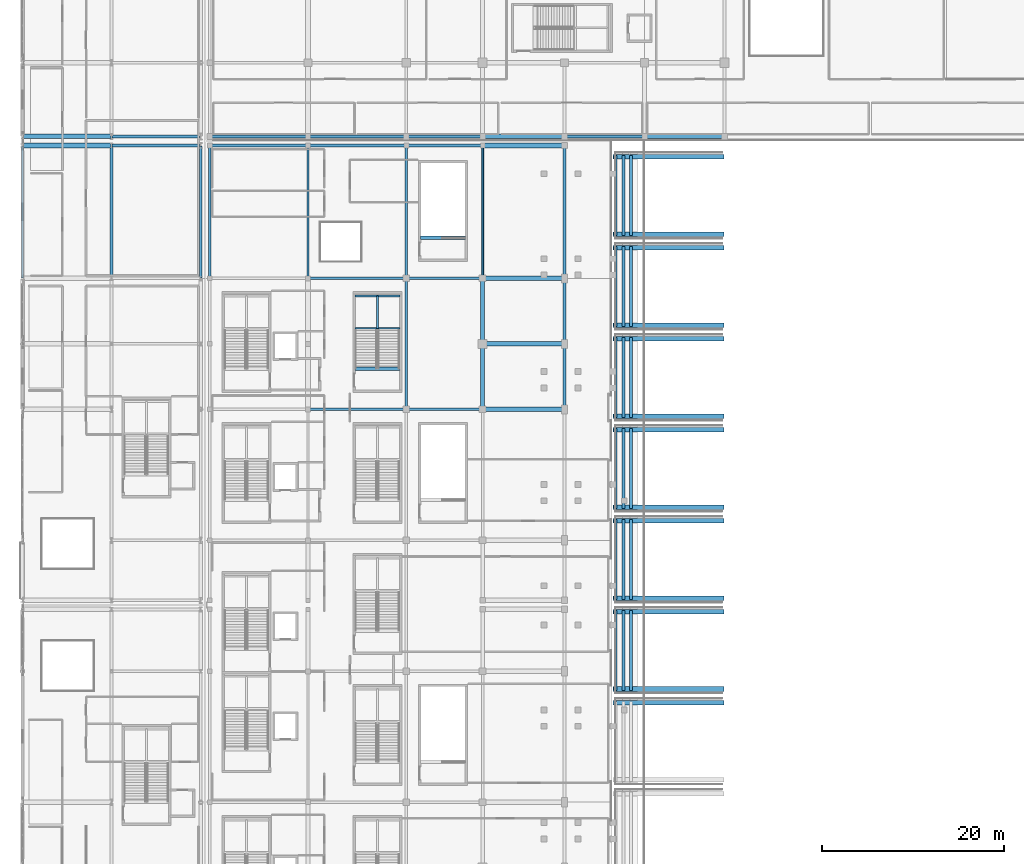
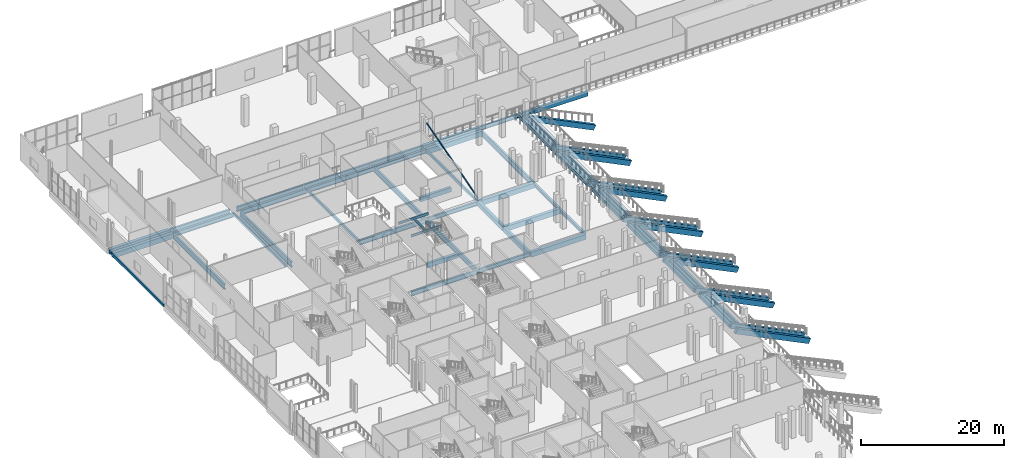
# One storey, part 31 of 129: 70 beams, 1 member.
"""IFC4 building model written with IfcOpenShell, lengths in metres."""

from ifc_helpers import new_model, si_unit, direction, frame, origin, origin_2d, place, context, subcontext, project, spatial, rectangle, hollow_rectangle, i_section, extrude, material, material_profile, profile_set, type_object, element, save


model = new_model("IFC4")

# Units and contexts
model_context = context("Model", 3, precision=1e-05, world=origin(), true_north=direction((0.0, 1.0)))
body_context = subcontext(model_context, "Body", "Model", "MODEL_VIEW")
ifc_project = project(units=[si_unit("LENGTHUNIT", "METRE"), si_unit("AREAUNIT", "SQUARE_METRE"), si_unit("VOLUMEUNIT", "CUBIC_METRE"), si_unit("PLANEANGLEUNIT", "RADIAN"), si_unit("MASSUNIT", "GRAM", prefix="KILO")], contexts=[model_context])

# Site, building, storey
site_placement = place(None, origin())
site = spatial("IfcSite", under=ifc_project, at=site_placement, CompositionType="ELEMENT")
building_placement = place(site_placement, origin())
building = spatial("IfcBuilding", under=site, at=building_placement, Name="Koshinbarg Plaza Stadium", CompositionType="ELEMENT")
storey_placement = place(building_placement, frame((0.0, 0.0, 5.39990234375)))
storey = spatial("IfcBuildingStorey", under=building, at=storey_placement, Name="L01", CompositionType="ELEMENT", Elevation=5.39990234375)

# Beams
ifc_material_1 = material(Name="Concrete C40/50", Category="concrete")
ifc_material_profile_1 = material_profile(ifc_material_1, rectangle(XDim=0.5, YDim=0.85009765625, at=origin_2d()), Name="RC 500x850")
ifc_profile_set_1 = profile_set([ifc_material_profile_1], Name="Concrete C40/50")
beam_type_1 = type_object("IfcBeamType", Name="BM-RAKER-LT", PredefinedType="USERDEFINED", material=ifc_profile_set_1)
for number, where, z_axis, x_axis, name in (
    (1, (80.9599609375, 65.25, -5.073974609375), (-0.897237323905, 0.0, 0.441548620869), (0.0, -1.0, 0.0), "Lower bowl raker girder RAKER LT-W04-R"),
    (2, (80.9599609375, 66.75, -5.073974609375), (-0.897237323905, 0.0, 0.441548620869), (0.0, -1.0, 0.0), "Lower bowl raker girder RAKER LT-W05-L"),
    (3, (80.9599609375, 75.25, -5.073974609375), (-0.897237323905, 0.0, 0.441548620869), (0.0, -1.0, 0.0), "Lower bowl raker girder RAKER LT-W05-R"),
    (4, (80.9599609375, 76.75, -5.073974609375), (-0.897237323905, 0.0, 0.441548620869), (0.0, -1.0, 0.0), "Lower bowl raker girder RAKER LT-W06-L"),
    (5, (80.9599609375, 85.25, -5.073974609375), (-0.897237323905, 0.0, 0.441548620869), (0.0, -1.0, 0.0), "Lower bowl raker girder RAKER LT-W06-R"),
    (6, (80.9599609375, 86.75, -5.073974609375), (-0.897237323905, 0.0, 0.441548620869), (0.0, -1.0, 0.0), "Lower bowl raker girder RAKER LT-W07-L"),
    (7, (80.9599609375, 95.25, -5.073974609375), (-0.897237323905, 0.0, 0.441548620869), (0.0, -1.0, 0.0), "Lower bowl raker girder RAKER LT-W07-R"),
    (8, (80.9599609375, 96.75, -5.073974609375), (-0.897237323905, 0.0, 0.441548620869), (0.0, -1.0, 0.0), "Lower bowl raker girder RAKER LT-W08-L"),
    (9, (80.9599609375, 105.25, -5.073974609375), (-0.897237323905, 0.0, 0.441548620869), (0.0, -1.0, 0.0), "Lower bowl raker girder RAKER LT-W08-R"),
    (10, (80.9599609375, 106.75, -5.073974609375), (-0.897237323905, 0.0, 0.441548620869), (0.0, -1.0, 0.0), "Lower bowl raker girder RAKER LT-W09-L"),
    (11, (80.9599609375, 115.25, -5.073974609375), (-0.897237323905, 0.0, 0.441548620869), (0.0, -1.0, 0.0), "Lower bowl raker girder RAKER LT-W09-R"),
    (12, (80.9599609375, 116.75, -5.073974609375), (-0.897237323905, 0.0, 0.441548620869), (0.0, -1.0, 0.0), "Lower bowl raker girder RAKER LT-W10-L"),
    (13, (80.9599609375, 125.25, -5.073974609375), (-0.897237323905, 0.0, 0.441548620869), (0.0, -1.0, 0.0), "Lower bowl raker girder RAKER LT-W10-R"),
):
    element("IfcBeam", number, at=place(storey_placement, frame(where, z_axis=z_axis, x_axis=x_axis)), inside=storey, type_object=beam_type_1, Name=name, ObjectType="GIRDER", PredefinedType="USERDEFINED", context=body_context, shape_type="SweptSolid", body=[
        extrude(rectangle(XDim=0.5, YDim=0.85009765625, at=origin_2d()), origin(), (0.0, 0.0, 1.0), 13.173828125),
    ])
ifc_material_profile_2 = material_profile(ifc_material_1, rectangle(XDim=0.35009765625, YDim=0.60009765625, at=origin_2d()), Name="RC 350x600")
ifc_profile_set_2 = profile_set([ifc_material_profile_2], Name="Concrete C40/50")
beam_type_2 = type_object("IfcBeamType", Name="BM-RCG-01", PredefinedType="SPANDREL", material=ifc_profile_set_2)
for number, where, z_axis, x_axis, name in (
    (14, (70.919921875, 66.60009765625, -0.27978515625), (0.0, 1.0, 0.0), (-1.0, 0.0, 0.0), "Lower tier seat bearer LT-W05-R12"),
    (15, (70.070068359375, 66.60009765625, 0.14013671875), (0.0, 1.0, 0.0), (-1.0, 0.0, 0.0), "Lower tier seat bearer LT-W05-R13"),
    (16, (69.219970703125, 66.60009765625, 0.56005859375), (0.0, 1.0, 0.0), (-1.0, 0.0, 0.0), "Lower tier seat bearer LT-W05-R14"),
    (17, (70.919921875, 76.60009765625, -0.27978515625), (0.0, 1.0, 0.0), (-1.0, 0.0, 0.0), "Lower tier seat bearer LT-W06-R12"),
    (18, (70.070068359375, 76.60009765625, 0.14013671875), (0.0, 1.0, 0.0), (-1.0, 0.0, 0.0), "Lower tier seat bearer LT-W06-R13"),
    (19, (69.219970703125, 76.60009765625, 0.56005859375), (0.0, 1.0, 0.0), (-1.0, 0.0, 0.0), "Lower tier seat bearer LT-W06-R14"),
    (20, (70.919921875, 86.60009765625, -0.27978515625), (0.0, 1.0, 0.0), (-1.0, 0.0, 0.0), "Lower tier seat bearer LT-W07-R12"),
    (21, (70.070068359375, 86.60009765625, 0.14013671875), (0.0, 1.0, 0.0), (-1.0, 0.0, 0.0), "Lower tier seat bearer LT-W07-R13"),
    (22, (69.219970703125, 86.60009765625, 0.56005859375), (0.0, 1.0, 0.0), (-1.0, 0.0, 0.0), "Lower tier seat bearer LT-W07-R14"),
    (23, (70.919921875, 96.60009765625, -0.27978515625), (0.0, 1.0, 0.0), (-1.0, 0.0, 0.0), "Lower tier seat bearer LT-W08-R12"),
    (24, (70.070068359375, 96.60009765625, 0.14013671875), (0.0, 1.0, 0.0), (-1.0, 0.0, 0.0), "Lower tier seat bearer LT-W08-R13"),
    (25, (69.219970703125, 96.60009765625, 0.56005859375), (0.0, 1.0, 0.0), (-1.0, 0.0, 0.0), "Lower tier seat bearer LT-W08-R14"),
    (26, (70.919921875, 106.60009765625, -0.27978515625), (0.0, 1.0, 0.0), (-1.0, 0.0, 0.0), "Lower tier seat bearer LT-W09-R12"),
    (27, (70.070068359375, 106.60009765625, 0.14013671875), (0.0, 1.0, 0.0), (-1.0, 0.0, 0.0), "Lower tier seat bearer LT-W09-R13"),
    (28, (69.219970703125, 106.60009765625, 0.56005859375), (0.0, 1.0, 0.0), (-1.0, 0.0, 0.0), "Lower tier seat bearer LT-W09-R14"),
    (29, (70.919921875, 116.60009765625, -0.27978515625), (0.0, 1.0, 0.0), (-1.0, 0.0, 0.0), "Lower tier seat bearer LT-W10-R12"),
    (30, (70.070068359375, 116.60009765625, 0.14013671875), (0.0, 1.0, 0.0), (-1.0, 0.0, 0.0), "Lower tier seat bearer LT-W10-R13"),
    (31, (69.219970703125, 116.60009765625, 0.56005859375), (0.0, 1.0, 0.0), (-1.0, 0.0, 0.0), "Lower tier seat bearer LT-W10-R14"),
):
    element("IfcBeam", number, at=place(storey_placement, frame(where, z_axis=z_axis, x_axis=x_axis)), inside=storey, type_object=beam_type_2, Name=name, PredefinedType="SPANDREL", context=body_context, shape_type="SweptSolid", body=[
        extrude(rectangle(XDim=0.35009765625, YDim=0.60009765625, at=origin_2d()), origin(), (0.0, 0.0, 1.0), 8.7998046875),
    ])
ifc_material_profile_3 = material_profile(ifc_material_1, rectangle(XDim=0.39990234375, YDim=0.75, at=origin_2d()), Name="RC 400x750")
ifc_profile_set_3 = profile_set([ifc_material_profile_3], Name="Concrete C40/50")
beam_type_3 = type_object("IfcBeamType", Name="BM-RCG-03", PredefinedType="USERDEFINED", material=ifc_profile_set_3)
for number, where, z_axis, x_axis, name in (
    (32, (40.550048828125, 101.9599609375, -0.375), (1.0, 0.0, 0.0), (0.0, 1.0, 0.0), "L01 stair landing header beam VX06"),
    (33, (47.75, 116.360107421875, -0.375), (1.0, 0.0, 0.0), (0.0, 1.0, 0.0), "L01 stair landing header beam VL04"),
):
    element("IfcBeam", number, at=place(storey_placement, frame(where, z_axis=z_axis, x_axis=x_axis)), inside=storey, type_object=beam_type_3, Name=name, ObjectType="GIRDER", PredefinedType="USERDEFINED", context=body_context, shape_type="SweptSolid", body=[
        extrude(rectangle(XDim=0.39990234375, YDim=0.75, at=origin_2d()), origin(), (0.0, 0.0, 1.0), 4.969970703125),
    ])
ifc_material_profile_4 = material_profile(ifc_material_1, rectangle(XDim=0.449951171875, YDim=0.800048828125, at=origin_2d()), Name="RC 450x800")
ifc_profile_set_4 = profile_set([ifc_material_profile_4], Name="Concrete C40/50")
beam_type_4 = type_object("IfcBeamType", Name="BM-RCG-04", PredefinedType="USERDEFINED", material=ifc_profile_set_4)
beam_1_placement = place(storey_placement, frame((72.4599609375, 127.5, -0.719970703125), z_axis=(1.0, 0.0, 0.0), x_axis=(0.0, 1.0, 0.0)))
element("IfcBeam", 34, at=beam_1_placement, inside=storey, type_object=beam_type_4, Name="L01 X girder S/10-11", ObjectType="GIRDER", PredefinedType="USERDEFINED", context=body_context, shape_type="SweptSolid", body=[
    extrude(rectangle(XDim=0.449951171875, YDim=0.800048828125, at=origin_2d()), origin(), (0.0, 0.0, 1.0), 8.679931640625),
])
beam_2_placement = place(storey_placement, frame((54.60009765625, 97.56005859375, -0.719970703125), z_axis=(0.0, 1.0, 0.0), x_axis=(-1.0, 0.0, 0.0)))
element("IfcBeam", 35, at=beam_2_placement, inside=storey, type_object=beam_type_4, Name="L01 Y girder 8/N-P", ObjectType="GIRDER", PredefinedType="USERDEFINED", context=body_context, shape_type="SweptSolid", body=[
    extrude(rectangle(XDim=0.449951171875, YDim=0.800048828125, at=origin_2d()), origin(), (0.0, 0.0, 1.0), 7.079833984375),
])
beam_3_placement = place(storey_placement, frame((54.60009765625, 104.760009765625, -0.719970703125), z_axis=(0.0, 1.0, 0.0), x_axis=(-1.0, 0.0, 0.0)))
element("IfcBeam", 36, at=beam_3_placement, inside=storey, type_object=beam_type_4, Name="L01 Y girder 8/P-Q", ObjectType="GIRDER", PredefinedType="USERDEFINED", context=body_context, shape_type="SweptSolid", body=[
    extrude(rectangle(XDim=0.449951171875, YDim=0.800048828125, at=origin_2d()), origin(), (0.0, 0.0, 1.0), 7.080078125),
])
ifc_material_profile_5 = material_profile(ifc_material_1, rectangle(XDim=0.5, YDim=0.85009765625, at=origin_2d()), Name="RC 500x850")
ifc_profile_set_5 = profile_set([ifc_material_profile_5], Name="Concrete C40/50")
beam_type_5 = type_object("IfcBeamType", Name="BM-RCG-05", PredefinedType="USERDEFINED", material=ifc_profile_set_5)
for number, where, z_axis, x_axis, name in (
    (37, (54.659912109375, 97.5, -0.744873046875), (1.0, 0.0, 0.0), (0.0, 1.0, 0.0), "L01 X girder N/8-9"),
    (38, (54.659912109375, 104.699951171875, -0.744873046875), (1.0, 0.0, 0.0), (0.0, 1.0, 0.0), "L01 X girder P/8-9"),
    (39, (54.659912109375, 111.89990234375, -0.744873046875), (1.0, 0.0, 0.0), (0.0, 1.0, 0.0), "L01 X girder Q/8-9"),
):
    element("IfcBeam", number, at=place(storey_placement, frame(where, z_axis=z_axis, x_axis=x_axis)), inside=storey, type_object=beam_type_5, Name=name, ObjectType="GIRDER", PredefinedType="USERDEFINED", context=body_context, shape_type="SweptSolid", body=[
        extrude(rectangle(XDim=0.5, YDim=0.85009765625, at=origin_2d()), origin(), (0.0, 0.0, 1.0), 8.880126953125),
    ])
beam_4_placement = place(storey_placement, frame((4.06005859375, 126.5, -0.744873046875), z_axis=(1.0, 0.0, 0.0), x_axis=(0.0, 1.0, 0.0)))
element("IfcBeam", 40, at=beam_4_placement, inside=storey, type_object=beam_type_5, Name="L01 X girder R/2-3", ObjectType="GIRDER", PredefinedType="USERDEFINED", context=body_context, shape_type="SweptSolid", body=[
    extrude(rectangle(XDim=0.5, YDim=0.85009765625, at=origin_2d()), origin(), (0.0, 0.0, 1.0), 9.679931640625),
])
beam_5_placement = place(storey_placement, frame((54.659912109375, 126.5, -0.744873046875), z_axis=(1.0, 0.0, 0.0), x_axis=(0.0, 1.0, 0.0)))
element("IfcBeam", 41, at=beam_5_placement, inside=storey, type_object=beam_type_5, Name="L01 X girder R/8-9", ObjectType="GIRDER", PredefinedType="USERDEFINED", context=body_context, shape_type="SweptSolid", body=[
    extrude(rectangle(XDim=0.5, YDim=0.85009765625, at=origin_2d()), origin(), (0.0, 0.0, 1.0), 8.880126953125),
])
beam_6_placement = place(storey_placement, frame((4.06005859375, 127.5, -0.744873046875), z_axis=(1.0, 0.0, 0.0), x_axis=(0.0, 1.0, 0.0)))
element("IfcBeam", 42, at=beam_6_placement, inside=storey, type_object=beam_type_5, Name="L01 X girder S/2-3", ObjectType="GIRDER", PredefinedType="USERDEFINED", context=body_context, shape_type="SweptSolid", body=[
    extrude(rectangle(XDim=0.5, YDim=0.85009765625, at=origin_2d()), origin(), (0.0, 0.0, 1.0), 9.679931640625),
])
beam_7_placement = place(storey_placement, frame((54.659912109375, 127.5, -0.744873046875), z_axis=(1.0, 0.0, 0.0), x_axis=(0.0, 1.0, 0.0)))
element("IfcBeam", 43, at=beam_7_placement, inside=storey, type_object=beam_type_5, Name="L01 X girder S/8-9", ObjectType="GIRDER", PredefinedType="USERDEFINED", context=body_context, shape_type="SweptSolid", body=[
    extrude(rectangle(XDim=0.5, YDim=0.85009765625, at=origin_2d()), origin(), (0.0, 0.0, 1.0), 8.880126953125),
])
ifc_material_2 = material(Name="Steel S355", Category="steel")
ifc_material_profile_6 = material_profile(ifc_material_2, i_section(OverallWidth=0.179931640625, OverallDepth=0.39990234375, WebThickness=0.008544921875, FlangeThickness=0.013427734375, at=origin_2d()), Name="IPE 400")
ifc_profile_set_6 = profile_set([ifc_material_profile_6], Name="Steel S355")
beam_type_6 = type_object("IfcBeamType", Name="BM-SBM-01", PredefinedType="BEAM", material=ifc_profile_set_6)
for number, where, z_axis, x_axis, name in (
    (44, (40.550048828125, 106.409912109375, 1.880126953125), (1.0, 0.0, 0.0), (0.0, 1.0, 0.0), "L01 Upper Vomitory Stair VX06 landing trimmer beam 1"),
    (45, (40.550048828125, 109.949951171875, 1.880126953125), (1.0, 0.0, 0.0), (0.0, 1.0, 0.0), "L01 Upper Vomitory Stair VX06 landing trimmer beam 2"),
):
    element("IfcBeam", number, at=place(storey_placement, frame(where, z_axis=z_axis, x_axis=x_axis)), inside=storey, type_object=beam_type_6, Name=name, PredefinedType="BEAM", context=body_context, shape_type="SweptSolid", body=[
        extrude(i_section(OverallWidth=0.179931640625, OverallDepth=0.39990234375, WebThickness=0.008544921875, FlangeThickness=0.013427734375, at=origin_2d()), origin(), (0.0, 0.0, 1.0), 4.969970703125),
    ])
beam_8_placement = place(storey_placement, frame((43.034912109375, 106.409912109375, 1.880126953125), z_axis=(0.0, 1.0, 0.0), x_axis=(-1.0, 0.0, 0.0)))
element("IfcBeam", 46, at=beam_8_placement, inside=storey, type_object=beam_type_6, Name="L01 Upper Vomitory Stair VX06 landing trimmer beam 3", PredefinedType="BEAM", context=body_context, shape_type="SweptSolid", body=[
    extrude(i_section(OverallWidth=0.179931640625, OverallDepth=0.39990234375, WebThickness=0.008544921875, FlangeThickness=0.013427734375, at=origin_2d()), origin(), (0.0, 0.0, 1.0), 3.5400390625),
])
ifc_material_profile_7 = material_profile(ifc_material_2, i_section(OverallWidth=0.300048828125, OverallDepth=0.60009765625, WebThickness=0.015380859375, FlangeThickness=0.030029296875, at=origin_2d()), Name="HEB 600")
ifc_profile_set_7 = profile_set([ifc_material_profile_7], Name="Steel S355")
beam_type_7 = type_object("IfcBeamType", Name="BM-SGIR-02", PredefinedType="USERDEFINED", material=ifc_profile_set_7)
beam_9_placement = place(storey_placement, frame((63.60009765625, 97.56005859375, -0.619873046875), z_axis=(0.0, 1.0, 0.0), x_axis=(-1.0, 0.0, 0.0)))
element("IfcBeam", 47, at=beam_9_placement, inside=storey, type_object=beam_type_7, Name="L01 Y girder 9/N-P", ObjectType="GIRDER", PredefinedType="USERDEFINED", context=body_context, shape_type="SweptSolid", body=[
    extrude(i_section(OverallWidth=0.300048828125, OverallDepth=0.60009765625, WebThickness=0.015380859375, FlangeThickness=0.030029296875, at=origin_2d()), origin(), (0.0, 0.0, 1.0), 7.079833984375),
])
beam_10_placement = place(storey_placement, frame((63.60009765625, 104.760009765625, -0.619873046875), z_axis=(0.0, 1.0, 0.0), x_axis=(-1.0, 0.0, 0.0)))
element("IfcBeam", 48, at=beam_10_placement, inside=storey, type_object=beam_type_7, Name="L01 Y girder 9/P-Q", ObjectType="GIRDER", PredefinedType="USERDEFINED", context=body_context, shape_type="SweptSolid", body=[
    extrude(i_section(OverallWidth=0.300048828125, OverallDepth=0.60009765625, WebThickness=0.015380859375, FlangeThickness=0.030029296875, at=origin_2d()), origin(), (0.0, 0.0, 1.0), 7.080078125),
])
ifc_material_profile_8 = material_profile(ifc_material_2, i_section(OverallWidth=0.300048828125, OverallDepth=0.699951171875, WebThickness=0.01708984375, FlangeThickness=0.031982421875, at=origin_2d()), Name="HEB 700")
ifc_profile_set_8 = profile_set([ifc_material_profile_8], Name="Steel S355")
beam_type_8 = type_object("IfcBeamType", Name="BM-SGIR-03", PredefinedType="USERDEFINED", material=ifc_profile_set_8)
for number, where, z_axis, x_axis, name in (
    (49, (46.260009765625, 97.5, -0.669921875), (1.0, 0.0, 0.0), (0.0, 1.0, 0.0), "L01 X girder N/7-8"),
    (50, (46.260009765625, 111.89990234375, -0.669921875), (1.0, 0.0, 0.0), (0.0, 1.0, 0.0), "L01 X girder Q/7-8"),
):
    element("IfcBeam", number, at=place(storey_placement, frame(where, z_axis=z_axis, x_axis=x_axis)), inside=storey, type_object=beam_type_8, Name=name, ObjectType="GIRDER", PredefinedType="USERDEFINED", context=body_context, shape_type="SweptSolid", body=[
        extrude(i_section(OverallWidth=0.300048828125, OverallDepth=0.699951171875, WebThickness=0.01708984375, FlangeThickness=0.031982421875, at=origin_2d()), origin(), (0.0, 0.0, 1.0), 8.280029296875),
    ])
beam_11_placement = place(storey_placement, frame((13.860107421875, 126.5, -0.669921875), z_axis=(1.0, 0.0, 0.0), x_axis=(0.0, 1.0, 0.0)))
element("IfcBeam", 51, at=beam_11_placement, inside=storey, type_object=beam_type_8, Name="L01 X girder R/3-4", ObjectType="GIRDER", PredefinedType="USERDEFINED", context=body_context, shape_type="SweptSolid", body=[
    extrude(i_section(OverallWidth=0.300048828125, OverallDepth=0.699951171875, WebThickness=0.01708984375, FlangeThickness=0.031982421875, at=origin_2d()), origin(), (0.0, 0.0, 1.0), 9.679931640625),
])
beam_12_placement = place(storey_placement, frame((46.260009765625, 126.5, -0.669921875), z_axis=(1.0, 0.0, 0.0), x_axis=(0.0, 1.0, 0.0)))
element("IfcBeam", 52, at=beam_12_placement, inside=storey, type_object=beam_type_8, Name="L01 X girder R/7-8", ObjectType="GIRDER", PredefinedType="USERDEFINED", context=body_context, shape_type="SweptSolid", body=[
    extrude(i_section(OverallWidth=0.300048828125, OverallDepth=0.699951171875, WebThickness=0.01708984375, FlangeThickness=0.031982421875, at=origin_2d()), origin(), (0.0, 0.0, 1.0), 8.280029296875),
])
beam_13_placement = place(storey_placement, frame((13.860107421875, 127.5, -0.669921875), z_axis=(1.0, 0.0, 0.0), x_axis=(0.0, 1.0, 0.0)))
element("IfcBeam", 53, at=beam_13_placement, inside=storey, type_object=beam_type_8, Name="L01 X girder S/3-4", ObjectType="GIRDER", PredefinedType="USERDEFINED", context=body_context, shape_type="SweptSolid", body=[
    extrude(i_section(OverallWidth=0.300048828125, OverallDepth=0.699951171875, WebThickness=0.01708984375, FlangeThickness=0.031982421875, at=origin_2d()), origin(), (0.0, 0.0, 1.0), 9.679931640625),
])
beam_14_placement = place(storey_placement, frame((46.260009765625, 127.5, -0.669921875), z_axis=(1.0, 0.0, 0.0), x_axis=(0.0, 1.0, 0.0)))
element("IfcBeam", 54, at=beam_14_placement, inside=storey, type_object=beam_type_8, Name="L01 X girder S/7-8", ObjectType="GIRDER", PredefinedType="USERDEFINED", context=body_context, shape_type="SweptSolid", body=[
    extrude(i_section(OverallWidth=0.300048828125, OverallDepth=0.699951171875, WebThickness=0.01708984375, FlangeThickness=0.031982421875, at=origin_2d()), origin(), (0.0, 0.0, 1.0), 8.280029296875),
])
beam_15_placement = place(storey_placement, frame((63.659912109375, 127.5, -0.669921875), z_axis=(1.0, 0.0, 0.0), x_axis=(0.0, 1.0, 0.0)))
element("IfcBeam", 55, at=beam_15_placement, inside=storey, type_object=beam_type_8, Name="L01 X girder S/9-10", ObjectType="GIRDER", PredefinedType="USERDEFINED", context=body_context, shape_type="SweptSolid", body=[
    extrude(i_section(OverallWidth=0.300048828125, OverallDepth=0.699951171875, WebThickness=0.01708984375, FlangeThickness=0.031982421875, at=origin_2d()), origin(), (0.0, 0.0, 1.0), 8.68017578125),
])
ifc_material_profile_9 = material_profile(ifc_material_2, i_section(OverallWidth=0.300048828125, OverallDepth=0.800048828125, WebThickness=0.017578125, FlangeThickness=0.032958984375, at=origin_2d()), Name="HEB 800")
ifc_profile_set_9 = profile_set([ifc_material_profile_9], Name="Steel S355")
beam_type_9 = type_object("IfcBeamType", Name="BM-SGIR-04", PredefinedType="USERDEFINED", material=ifc_profile_set_9)
for number, where, z_axis, x_axis, name in (
    (56, (35.4599609375, 97.5, -0.719970703125), (1.0, 0.0, 0.0), (0.0, 1.0, 0.0), "L01 X girder N/6-7"),
    (57, (35.4599609375, 111.89990234375, -0.719970703125), (1.0, 0.0, 0.0), (0.0, 1.0, 0.0), "L01 X girder Q/6-7"),
):
    element("IfcBeam", number, at=place(storey_placement, frame(where, z_axis=z_axis, x_axis=x_axis)), inside=storey, type_object=beam_type_9, Name=name, ObjectType="GIRDER", PredefinedType="USERDEFINED", context=body_context, shape_type="SweptSolid", body=[
        extrude(i_section(OverallWidth=0.300048828125, OverallDepth=0.800048828125, WebThickness=0.017578125, FlangeThickness=0.032958984375, at=origin_2d()), origin(), (0.0, 0.0, 1.0), 10.679931640625),
    ])
beam_16_placement = place(storey_placement, frame((24.659912109375, 126.5, -0.719970703125), z_axis=(1.0, 0.0, 0.0), x_axis=(0.0, 1.0, 0.0)))
element("IfcBeam", 58, at=beam_16_placement, inside=storey, type_object=beam_type_9, Name="L01 X girder R/5-6", ObjectType="GIRDER", PredefinedType="USERDEFINED", context=body_context, shape_type="SweptSolid", body=[
    extrude(i_section(OverallWidth=0.300048828125, OverallDepth=0.800048828125, WebThickness=0.017578125, FlangeThickness=0.032958984375, at=origin_2d()), origin(), (0.0, 0.0, 1.0), 10.68017578125),
])
beam_17_placement = place(storey_placement, frame((35.4599609375, 126.5, -0.719970703125), z_axis=(1.0, 0.0, 0.0), x_axis=(0.0, 1.0, 0.0)))
element("IfcBeam", 59, at=beam_17_placement, inside=storey, type_object=beam_type_9, Name="L01 X girder R/6-7", ObjectType="GIRDER", PredefinedType="USERDEFINED", context=body_context, shape_type="SweptSolid", body=[
    extrude(i_section(OverallWidth=0.300048828125, OverallDepth=0.800048828125, WebThickness=0.017578125, FlangeThickness=0.032958984375, at=origin_2d()), origin(), (0.0, 0.0, 1.0), 10.679931640625),
])
beam_18_placement = place(storey_placement, frame((24.659912109375, 127.5, -0.719970703125), z_axis=(1.0, 0.0, 0.0), x_axis=(0.0, 1.0, 0.0)))
element("IfcBeam", 60, at=beam_18_placement, inside=storey, type_object=beam_type_9, Name="L01 X girder S/5-6", ObjectType="GIRDER", PredefinedType="USERDEFINED", context=body_context, shape_type="SweptSolid", body=[
    extrude(i_section(OverallWidth=0.300048828125, OverallDepth=0.800048828125, WebThickness=0.017578125, FlangeThickness=0.032958984375, at=origin_2d()), origin(), (0.0, 0.0, 1.0), 10.68017578125),
])
beam_19_placement = place(storey_placement, frame((35.4599609375, 127.5, -0.719970703125), z_axis=(1.0, 0.0, 0.0), x_axis=(0.0, 1.0, 0.0)))
element("IfcBeam", 61, at=beam_19_placement, inside=storey, type_object=beam_type_9, Name="L01 X girder S/6-7", ObjectType="GIRDER", PredefinedType="USERDEFINED", context=body_context, shape_type="SweptSolid", body=[
    extrude(i_section(OverallWidth=0.300048828125, OverallDepth=0.800048828125, WebThickness=0.017578125, FlangeThickness=0.032958984375, at=origin_2d()), origin(), (0.0, 0.0, 1.0), 10.679931640625),
])
ifc_material_profile_10 = material_profile(ifc_material_2, i_section(OverallWidth=0.300048828125, OverallDepth=0.89990234375, WebThickness=0.0185546875, FlangeThickness=0.034912109375, at=origin_2d()), Name="HEB 900")
ifc_profile_set_10 = profile_set([ifc_material_profile_10], Name="Steel S355")
beam_type_10 = type_object("IfcBeamType", Name="BM-SGIR-05", PredefinedType="USERDEFINED", material=ifc_profile_set_10)
for number, where, z_axis, x_axis, name in (
    (62, (13.800048828125, 111.9599609375, -0.77001953125), (0.0, 1.0, 0.0), (-1.0, 0.0, 0.0), "L01 Y girder 3/Q-R"),
    (63, (24.60009765625, 111.9599609375, -0.77001953125), (0.0, 1.0, 0.0), (-1.0, 0.0, 0.0), "L01 Y girder 5/Q-R"),
):
    element("IfcBeam", number, at=place(storey_placement, frame(where, z_axis=z_axis, x_axis=x_axis)), inside=storey, type_object=beam_type_10, Name=name, ObjectType="GIRDER", PredefinedType="USERDEFINED", context=body_context, shape_type="SweptSolid", body=[
        extrude(i_section(OverallWidth=0.300048828125, OverallDepth=0.89990234375, WebThickness=0.0185546875, FlangeThickness=0.034912109375, at=origin_2d()), origin(), (0.0, 0.0, 1.0), 14.47998046875),
    ])
beam_20_placement = place(storey_placement, frame((46.199951171875, 97.56005859375, -0.77001953125), z_axis=(0.0, 1.0, 0.0), x_axis=(-1.0, 0.0, 0.0)))
element("IfcBeam", 64, at=beam_20_placement, inside=storey, type_object=beam_type_10, Name="L01 Y girder 7/N-Q", ObjectType="GIRDER", PredefinedType="USERDEFINED", context=body_context, shape_type="SweptSolid", body=[
    extrude(i_section(OverallWidth=0.300048828125, OverallDepth=0.89990234375, WebThickness=0.0185546875, FlangeThickness=0.034912109375, at=origin_2d()), origin(), (0.0, 0.0, 1.0), 14.280029296875),
])
for number, where, z_axis, x_axis, name in (
    (65, (46.199951171875, 111.9599609375, -0.77001953125), (0.0, 1.0, 0.0), (-1.0, 0.0, 0.0), "L01 Y girder 7/Q-R"),
    (66, (63.60009765625, 111.9599609375, -0.77001953125), (0.0, 1.0, 0.0), (-1.0, 0.0, 0.0), "L01 Y girder 9/Q-R"),
):
    element("IfcBeam", number, at=place(storey_placement, frame(where, z_axis=z_axis, x_axis=x_axis)), inside=storey, type_object=beam_type_10, Name=name, ObjectType="GIRDER", PredefinedType="USERDEFINED", context=body_context, shape_type="SweptSolid", body=[
        extrude(i_section(OverallWidth=0.300048828125, OverallDepth=0.89990234375, WebThickness=0.0185546875, FlangeThickness=0.034912109375, at=origin_2d()), origin(), (0.0, 0.0, 1.0), 14.47998046875),
    ])
ifc_material_profile_11 = material_profile(ifc_material_2, hollow_rectangle(XDim=0.25, YDim=0.449951171875, WallThickness=0.01611328125, at=origin_2d()), Name="RHS 450x250x16")
ifc_profile_set_11 = profile_set([ifc_material_profile_11], Name="Steel S355")
beam_type_11 = type_object("IfcBeamType", Name="BM-SGIR-06", PredefinedType="USERDEFINED", material=ifc_profile_set_11)
for number, where, z_axis, x_axis, name in (
    (67, (4.0, 111.9599609375, -0.544921875), (0.0, 1.0, 0.0), (-1.0, 0.0, 0.0), "L01 Y girder 2/Q-R"),
    (68, (23.60009765625, 111.9599609375, -0.544921875), (0.0, 1.0, 0.0), (-1.0, 0.0, 0.0), "L01 Y girder 4/Q-R"),
    (69, (35.39990234375, 111.9599609375, -0.544921875), (0.0, 1.0, 0.0), (-1.0, 0.0, 0.0), "L01 Y girder 6/Q-R"),
    (70, (54.60009765625, 111.9599609375, -0.544921875), (0.0, 1.0, 0.0), (-1.0, 0.0, 0.0), "L01 Y girder 8/Q-R"),
):
    element("IfcBeam", number, at=place(storey_placement, frame(where, z_axis=z_axis, x_axis=x_axis)), inside=storey, type_object=beam_type_11, Name=name, ObjectType="GIRDER", PredefinedType="USERDEFINED", context=body_context, shape_type="SweptSolid", body=[
        extrude(hollow_rectangle(XDim=0.25, YDim=0.449951171875, WallThickness=0.01611328125, at=origin_2d()), origin(), (0.0, 0.0, 1.0), 14.47998046875),
    ])

# Member
ifc_material_profile_12 = material_profile(ifc_material_2, hollow_rectangle(XDim=0.14990234375, YDim=0.14990234375, WallThickness=0.008056640625, at=origin_2d()), Name="SHS 150x150x8")
ifc_profile_set_12 = profile_set([ifc_material_profile_12], Name="Steel S355")
member_type = type_object("IfcMemberType", Name="MB-BRACE-07", PredefinedType="BRACE", material=ifc_profile_set_12)
member_placement = place(storey_placement, frame((54.60009765625, 111.97998046875, 0.050048828125), z_axis=(0.0, 0.961092925393, 0.276225250038), x_axis=(-1.0, 0.0, 0.0)))
element("IfcMember", 71, at=member_placement, inside=storey, type_object=member_type, Name="L01 lateral frame brace 6", PredefinedType="BRACE", context=body_context, shape_type="SweptSolid", body=[
    extrude(hollow_rectangle(XDim=0.14990234375, YDim=0.14990234375, WallThickness=0.008056640625, at=origin_2d()), origin(), (0.0, 0.0, 1.0), 15.0244140625),
])

save(model, "model.ifc")
